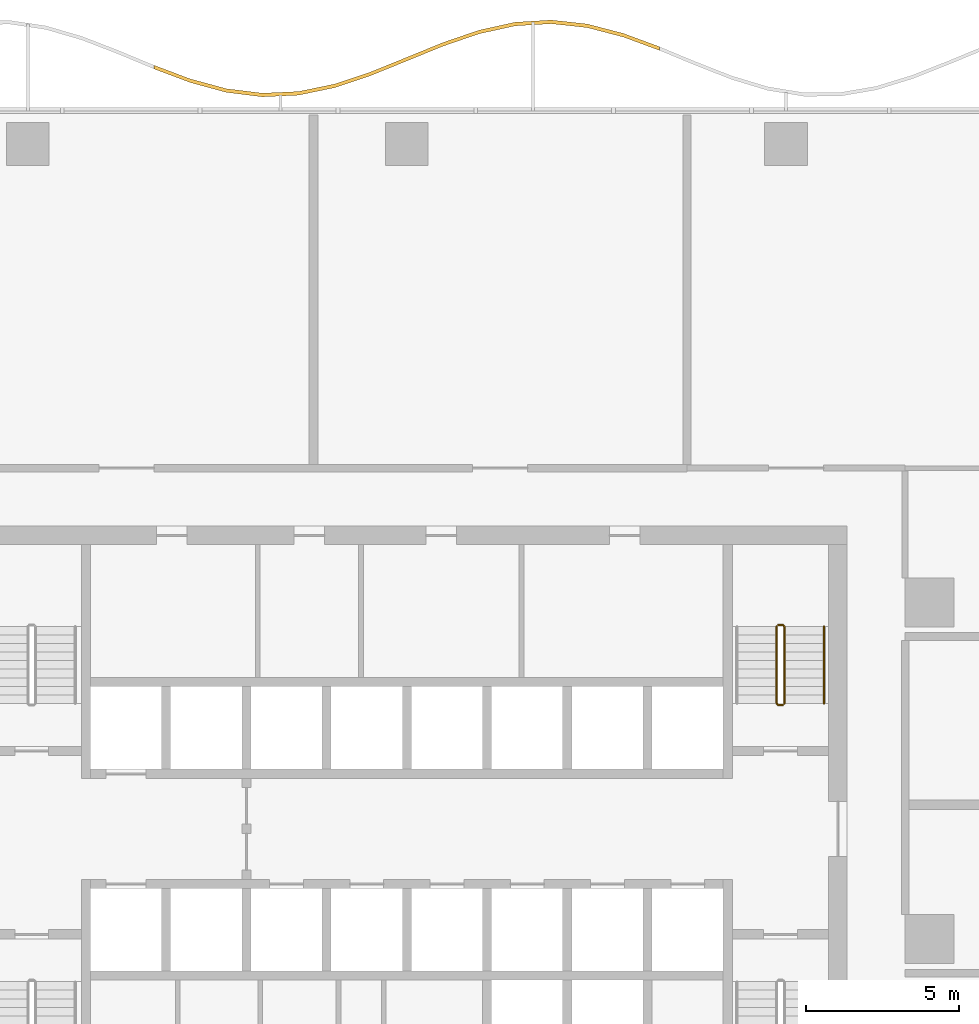
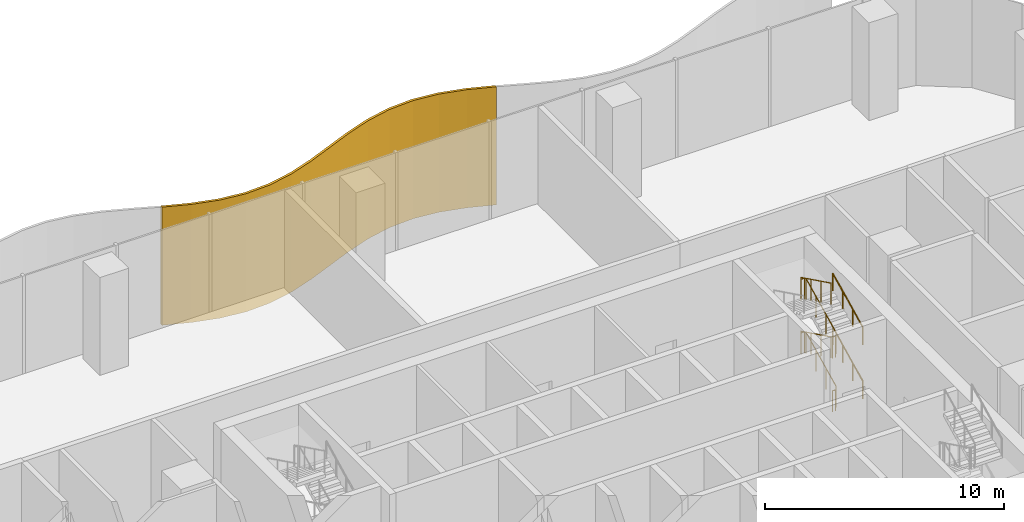
# One storey, part 20 of 21: 7 railings, 1 shading device.
"""IFC4 building model written with IfcOpenShell, lengths in metres."""

from ifc_helpers import new_model, si_unit, direction, frame, origin, origin_2d, place, context, subcontext, project, spatial, polyline, circle, outline, extrude, material, layer, layer_set, type_object, element, save


model = new_model("IFC4")

# Units and contexts
model_context = context("Model", 3, precision=1e-05, world=origin(), true_north=direction((0.0, 1.0)))
body_context = subcontext(model_context, "Body", "Model", "MODEL_VIEW")
ifc_project = project(units=[si_unit("LENGTHUNIT", "METRE"), si_unit("AREAUNIT", "SQUARE_METRE"), si_unit("VOLUMEUNIT", "CUBIC_METRE"), si_unit("PLANEANGLEUNIT", "RADIAN"), si_unit("MASSUNIT", "GRAM", prefix="KILO")], contexts=[model_context])

# Site, building, storey
site_placement = place(None, origin())
site = spatial("IfcSite", under=ifc_project, at=site_placement, CompositionType="ELEMENT")
building_placement = place(site_placement, origin())
building = spatial("IfcBuilding", under=site, at=building_placement, Name="Mopane Tessera Tower", CompositionType="ELEMENT")
storey_placement = place(building_placement, frame((0.0, 0.0, 9.0)))
storey = spatial("IfcBuildingStorey", under=building, at=storey_placement, Name="L01", CompositionType="ELEMENT", Elevation=9.0)

# Railings
ifc_material_1 = material(Name="Powder-coated steel balustrade", Category="steel")
railing_type_1 = type_object("IfcRailingType", Name="Escape stair guard 1100 mm", PredefinedType="GUARDRAIL", material=ifc_material_1)
railing_1_placement = place(storey_placement, frame((12.35009765625, 7.699951171875, 0.137451171875)))
element("IfcRailing", 1, at=railing_1_placement, inside=storey, type_object=railing_type_1, Name="L01 ST4 stair guard 1", PredefinedType="GUARDRAIL", context=body_context, shape_type="SweptSolid", body=[
    extrude(circle(Radius=0.02392578125, at=origin_2d()), frame((0.0, 0.0, 1.076171875), z_axis=(0.0, 0.897604431175, 0.440801866075), x_axis=(-1.0, 0.0, 0.0)), (0.0, 0.0, 1.0), 2.807373046875),
    extrude(circle(Radius=0.02392578125, at=origin_2d()), frame((0.0, 2.52001953125, 2.3134765625), z_axis=(-0.707106781187, 0.707106781187, 0.0), x_axis=(-0.707106781187, -0.707106781187, 0.0)), (0.0, 0.0, 1.0), 0.07080078125),
    extrude(circle(Radius=0.02392578125, at=origin_2d()), frame((-0.050048828125, 2.570068359375, 2.3134765625), z_axis=(-1.0, 0.0, 0.0), x_axis=(0.0, -1.0, 0.0)), (0.0, 0.0, 1.0), 0.150146484375),
    extrude(circle(Radius=0.02099609375, at=origin_2d()), origin(), (0.0, 0.0, 1.0), 1.052001953125),
    extrude(circle(Radius=0.02099609375, at=origin_2d()), frame((0.0, 0.840087890625, 0.41259765625)), (0.0, 0.0, 1.0), 1.052001953125),
    extrude(circle(Radius=0.02099609375, at=origin_2d()), frame((0.0, 1.679931640625, 0.824951171875)), (0.0, 0.0, 1.0), 1.052001953125),
    extrude(circle(Radius=0.02099609375, at=origin_2d()), frame((0.0, 2.52001953125, 1.237548828125)), (0.0, 0.0, 1.0), 1.052001953125),
    extrude(circle(Radius=0.02099609375, at=origin_2d()), frame((-0.050048828125, 2.570068359375, 1.237548828125)), (0.0, 0.0, 1.0), 1.052001953125),
    extrude(circle(Radius=0.02099609375, at=origin_2d()), frame((-0.2001953125, 2.570068359375, 1.237548828125)), (0.0, 0.0, 1.0), 1.052001953125),
])
railing_2_placement = place(storey_placement, frame((12.10009765625, 10.219970703125, 1.512451171875)))
element("IfcRailing", 2, at=railing_2_placement, inside=storey, type_object=railing_type_1, Name="L01 ST4 stair guard 2", PredefinedType="GUARDRAIL", context=body_context, shape_type="SweptSolid", body=[
    extrude(circle(Radius=0.02392578125, at=origin_2d()), frame((0.0, 0.0, 1.076171875), z_axis=(0.0, -0.897604431175, 0.440801866075), x_axis=(1.0, 0.0, 0.0)), (0.0, 0.0, 1.0), 2.807373046875),
    extrude(circle(Radius=0.02392578125, at=origin_2d()), frame((0.0, -2.52001953125, 2.3134765625), z_axis=(0.705375805398, -0.708833529934, 0.0), x_axis=(0.708833529934, 0.705375805398, 0.0)), (0.0, 0.0, 1.0), 0.070556640625),
    extrude(circle(Radius=0.02392578125, at=origin_2d()), frame((0.0498046875, -2.570068359375, 2.3134765625), z_axis=(1.0, 0.0, 0.0), x_axis=(0.0, 1.0, 0.0)), (0.0, 0.0, 1.0), 0.150146484375),
    extrude(circle(Radius=0.02099609375, at=origin_2d()), origin(), (0.0, 0.0, 1.0), 1.052001953125),
    extrude(circle(Radius=0.02099609375, at=origin_2d()), frame((0.0, -0.840087890625, 0.41259765625)), (0.0, 0.0, 1.0), 1.052001953125),
    extrude(circle(Radius=0.02099609375, at=origin_2d()), frame((0.0, -1.679931640625, 0.824951171875)), (0.0, 0.0, 1.0), 1.052001953125),
    extrude(circle(Radius=0.02099609375, at=origin_2d()), frame((0.0, -2.52001953125, 1.237548828125)), (0.0, 0.0, 1.0), 1.052001953125),
    extrude(circle(Radius=0.02099609375, at=origin_2d()), frame((0.0498046875, -2.570068359375, 1.237548828125)), (0.0, 0.0, 1.0), 1.052001953125),
    extrude(circle(Radius=0.02099609375, at=origin_2d()), frame((0.199951171875, -2.570068359375, 1.237548828125)), (0.0, 0.0, 1.0), 1.052001953125),
])
railing_3_placement = place(storey_placement, frame((12.35009765625, 7.699951171875, 2.887451171875)))
element("IfcRailing", 3, at=railing_3_placement, inside=storey, type_object=railing_type_1, Name="L01 ST4 stair guard 3", PredefinedType="GUARDRAIL", context=body_context, shape_type="SweptSolid", body=[
    extrude(circle(Radius=0.02392578125, at=origin_2d()), frame((0.0, 0.0, 1.076171875), z_axis=(0.0, 0.897604431175, 0.440801866075), x_axis=(-1.0, 0.0, 0.0)), (0.0, 0.0, 1.0), 2.807373046875),
    extrude(circle(Radius=0.02392578125, at=origin_2d()), frame((0.0, 2.52001953125, 2.3134765625), z_axis=(-0.707106781187, 0.707106781187, 0.0), x_axis=(-0.707106781187, -0.707106781187, 0.0)), (0.0, 0.0, 1.0), 0.07080078125),
    extrude(circle(Radius=0.02392578125, at=origin_2d()), frame((-0.050048828125, 2.570068359375, 2.3134765625), z_axis=(-1.0, 0.0, 0.0), x_axis=(0.0, -1.0, 0.0)), (0.0, 0.0, 1.0), 0.150146484375),
    extrude(circle(Radius=0.02099609375, at=origin_2d()), origin(), (0.0, 0.0, 1.0), 1.052001953125),
    extrude(circle(Radius=0.02099609375, at=origin_2d()), frame((0.0, 0.840087890625, 0.41259765625)), (0.0, 0.0, 1.0), 1.052001953125),
    extrude(circle(Radius=0.02099609375, at=origin_2d()), frame((0.0, 1.679931640625, 0.824951171875)), (0.0, 0.0, 1.0), 1.052001953125),
    extrude(circle(Radius=0.02099609375, at=origin_2d()), frame((0.0, 2.52001953125, 1.237548828125)), (0.0, 0.0, 1.0), 1.052001953125),
    extrude(circle(Radius=0.02099609375, at=origin_2d()), frame((-0.050048828125, 2.570068359375, 1.237548828125)), (0.0, 0.0, 1.0), 1.052001953125),
    extrude(circle(Radius=0.02099609375, at=origin_2d()), frame((-0.2001953125, 2.570068359375, 1.237548828125)), (0.0, 0.0, 1.0), 1.052001953125),
])
railing_4_placement = place(storey_placement, frame((12.10009765625, 10.219970703125, 4.262451171875)))
element("IfcRailing", 4, at=railing_4_placement, inside=storey, type_object=railing_type_1, Name="L01 ST4 stair guard 4", PredefinedType="GUARDRAIL", context=body_context, shape_type="SweptSolid", body=[
    extrude(circle(Radius=0.02392578125, at=origin_2d()), frame((0.0, 0.0, 1.076171875), z_axis=(0.0, -0.897604431175, 0.440801866075), x_axis=(1.0, 0.0, 0.0)), (0.0, 0.0, 1.0), 2.807373046875),
    extrude(circle(Radius=0.02099609375, at=origin_2d()), origin(), (0.0, 0.0, 1.0), 1.052001953125),
    extrude(circle(Radius=0.02099609375, at=origin_2d()), frame((0.0, -0.840087890625, 0.41259765625)), (0.0, 0.0, 1.0), 1.052001953125),
    extrude(circle(Radius=0.02099609375, at=origin_2d()), frame((0.0, -1.679931640625, 0.824951171875)), (0.0, 0.0, 1.0), 1.052001953125),
    extrude(circle(Radius=0.02099609375, at=origin_2d()), frame((0.0, -2.52001953125, 1.237548828125)), (0.0, 0.0, 1.0), 1.052001953125),
])
railing_5_placement = place(storey_placement, frame((12.300048828125, 7.64990234375, 0.0)))
element("IfcRailing", 5, at=railing_5_placement, inside=storey, type_object=railing_type_1, Name="L01 ST4 stair guard 5", PredefinedType="GUARDRAIL", context=body_context, shape_type="SweptSolid", body=[
    extrude(circle(Radius=0.02392578125, at=origin_2d()), frame((0.0, 0.0, 1.076171875), z_axis=(-1.0, 0.0, 0.0), x_axis=(0.0, -1.0, 0.0)), (0.0, 0.0, 1.0), 0.150146484375),
    extrude(circle(Radius=0.02099609375, at=origin_2d()), origin(), (0.0, 0.0, 1.0), 1.052001953125),
    extrude(circle(Radius=0.02099609375, at=origin_2d()), frame((-0.150146484375, 0.0, 0.0)), (0.0, 0.0, 1.0), 1.052001953125),
])
ifc_material_2 = material(Name="Powder-coated steel balustrade", Category="steel")
railing_type_2 = type_object("IfcRailingType", Name="Escape stair handrail 900 mm", PredefinedType="HANDRAIL", material=ifc_material_2)
for number, where, name in (
    (6, (13.64990234375, 7.699951171875, 0.137451171875), "L01 ST4 stair handrail 1"),
    (7, (13.64990234375, 7.699951171875, 2.887451171875), "L01 ST4 stair handrail 3"),
):
    element("IfcRailing", number, at=place(storey_placement, frame(where)), inside=storey, type_object=railing_type_2, Name=name, PredefinedType="HANDRAIL", context=body_context, shape_type="SweptSolid", body=[
        extrude(circle(Radius=0.02392578125, at=origin_2d()), frame((0.0, 0.0, 0.8759765625), z_axis=(0.0, 0.897604431175, 0.440801866075), x_axis=(-1.0, 0.0, 0.0)), (0.0, 0.0, 1.0), 2.807373046875),
        extrude(circle(Radius=0.02099609375, at=origin_2d()), origin(), (0.0, 0.0, 1.0), 0.851806640625),
        extrude(circle(Radius=0.02099609375, at=origin_2d()), frame((0.0, 0.840087890625, 0.41259765625)), (0.0, 0.0, 1.0), 0.851806640625),
        extrude(circle(Radius=0.02099609375, at=origin_2d()), frame((0.0, 1.679931640625, 0.824951171875)), (0.0, 0.0, 1.0), 0.851806640625),
        extrude(circle(Radius=0.02099609375, at=origin_2d()), frame((0.0, 2.52001953125, 1.237548828125)), (0.0, 0.0, 1.0), 0.851806640625),
    ])

# Shading device
ifc_material_3 = material(Name="Anodised aluminium louvre blades", Category="aluminium")
ifc_layer = layer(ifc_material_3, 0.1201171875)
ifc_layer_set = layer_set([ifc_layer], Name="Anodised aluminium louvre blades")
shading_device_type = type_object("IfcShadingDeviceType", Name="Wave louvre screen", PredefinedType="JALOUSIE", material=ifc_layer_set)
shading_device_placement = place(storey_placement, frame((0.0, 0.0, -1.0400390625)))
element("IfcShadingDevice", 8, at=shading_device_placement, inside=storey, type_object=shading_device_type, Name="e:lv:L01:N:1", PredefinedType="JALOUSIE", context=body_context, shape_type="SweptSolid", body=[
    extrude(outline(polyline([(8.2666015625, 29.06396484375), (7.085693359375, 29.499755859375), (5.90478515625, 29.808349609375), (4.723876953125, 29.937744140625), (3.54296875, 29.86669921875), (2.36181640625, 29.606689453125), (1.180908203125, 29.201416015625), (0.0, 28.718994140625), (-1.180908203125, 28.239990234375), (-2.36181640625, 27.844970703125), (-3.54296875, 27.599609375), (-4.723876953125, 27.54541015625), (-5.90478515625, 27.69140625), (-7.085693359375, 28.012939453125), (-8.2666015625, 28.45654296875), (-8.2666015625, 28.576416015625), (-7.085693359375, 28.133056640625), (-5.90478515625, 27.8115234375), (-4.723876953125, 27.66552734375), (-3.54296875, 27.7197265625), (-2.36181640625, 27.96484375), (-1.180908203125, 28.360107421875), (0.0, 28.839111328125), (1.180908203125, 29.321533203125), (2.36181640625, 29.7265625), (3.54296875, 29.986572265625), (4.723876953125, 30.057861328125), (5.90478515625, 29.92822265625), (7.085693359375, 29.619873046875), (8.2666015625, 29.18408203125), (8.2666015625, 29.06396484375)])), origin(), (0.0, 0.0, 1.0), 6.0400390625),
])

save(model, "model.ifc")
